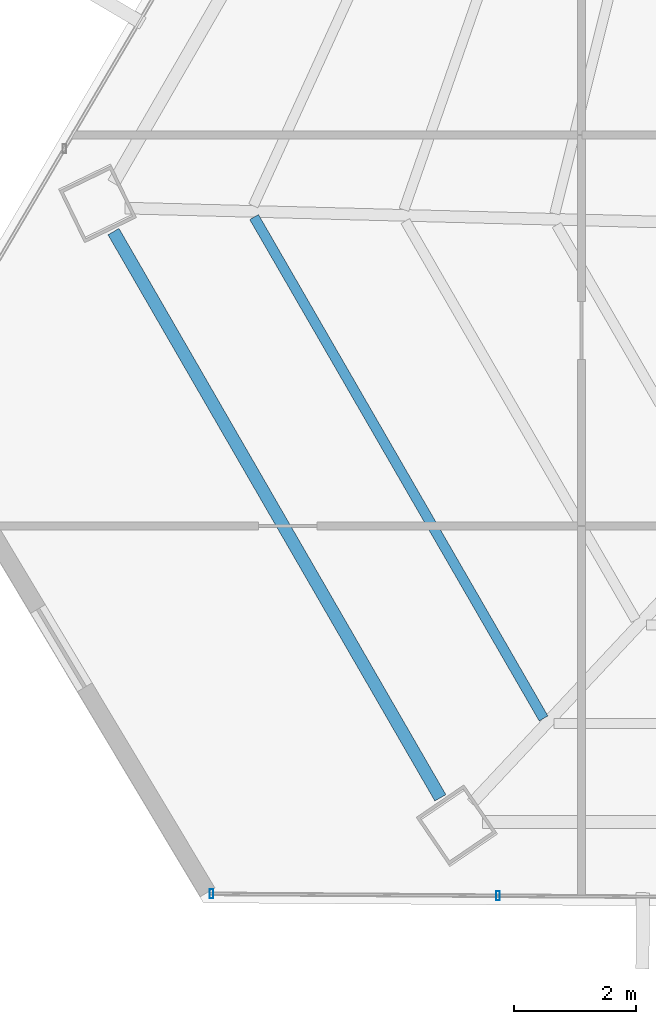
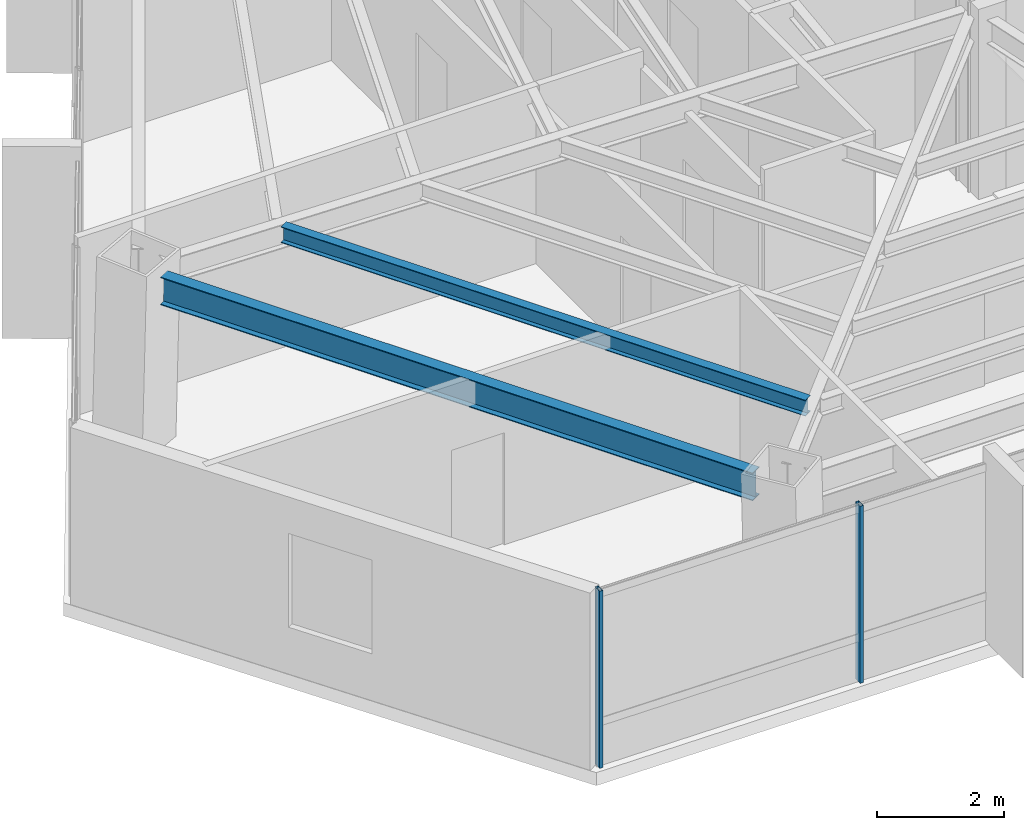
# One storey, part 2 of 41: 2 beams, 2 members, 1 element without a shape of its own.
"""IFC4 building model written with IfcOpenShell, lengths in metres."""

from ifc_helpers import new_model, si_unit, direction, frame, origin, origin_2d, place, context, subcontext, project, spatial, hollow_rectangle, i_section, extrude, source, transform, mapped, material, material_profile, profile_set, type_object, type_shapes, element, aggregate, save


model = new_model("IFC4")

# Units and contexts
model_context = context("Model", 3, precision=1e-05, world=origin(), true_north=direction((0.0, 1.0)))
body_context = subcontext(model_context, "Body", "Model", "MODEL_VIEW")
ifc_project = project(units=[si_unit("LENGTHUNIT", "METRE"), si_unit("AREAUNIT", "SQUARE_METRE"), si_unit("VOLUMEUNIT", "CUBIC_METRE"), si_unit("PLANEANGLEUNIT", "RADIAN"), si_unit("MASSUNIT", "GRAM", prefix="KILO")], contexts=[model_context])

# Site, building, storey
site_placement = place(None, origin())
site = spatial("IfcSite", under=ifc_project, at=site_placement, CompositionType="ELEMENT")
building_placement = place(site_placement, origin())
building = spatial("IfcBuilding", under=site, at=building_placement, Name="Caelisora Broadcast Tower", CompositionType="ELEMENT")
storey_placement = place(building_placement, frame((0.0, 0.0, 169.449951171875)))
storey = spatial("IfcBuildingStorey", under=building, at=storey_placement, Name="L44", CompositionType="ELEMENT", Elevation=169.449951171875)

# Beams
ifc_material_1 = material(Name="Steel Grade 350 (AS/NZS 3679.1)", Category="steel")
ifc_material_profile_1 = material_profile(ifc_material_1, i_section(OverallWidth=0.208984375, OverallDepth=0.532958984375, WebThickness=0.01025390625, FlangeThickness=0.015625, at=origin_2d()), Name="Steel Grade 350 (AS/NZS 3679.1)")
ifc_profile_set_1 = profile_set([ifc_material_profile_1], Name="Steel Grade 350 (AS/NZS 3679.1)")
beam_type_1 = type_object("IfcBeamType", Name="PG05", PredefinedType="BEAM", material=ifc_profile_set_1)
shared_shape_1 = source(origin(), body_context, "Body", "SweptSolid", [
    extrude(i_section(OverallWidth=0.208984375, OverallDepth=0.532958984375, WebThickness=0.01025390625, FlangeThickness=0.015625, at=origin_2d()), origin(), (0.0, 0.0, 1.0), 10.751708984375),
])
type_shapes(beam_type_1, [shared_shape_1])
beam_1_placement = place(storey_placement, frame((15.80224609375, 17.3916015625, 3.133544921875), z_axis=(0.499990430293, -0.866030928787, 0.0), x_axis=(0.866030928787, 0.499990430293, 0.0)))
element("IfcBeam", 1, at=beam_1_placement, inside=storey, type_object=beam_type_1, Name="L44 beam PG05", PredefinedType="BEAM", context=body_context, shape_type="MappedRepresentation", body=[
    mapped(shared_shape_1, transform((0.0, 0.0, 0.0), scale=1.0)),
])
ifc_material_profile_2 = material_profile(ifc_material_1, i_section(OverallWidth=0.166015625, OverallDepth=0.30712890625, WebThickness=0.006591796875, FlangeThickness=0.01171875, at=origin_2d()), Name="Steel Grade 350 (AS/NZS 3679.1)")
ifc_profile_set_2 = profile_set([ifc_material_profile_2], Name="Steel Grade 350 (AS/NZS 3679.1)")
beam_type_2 = type_object("IfcBeamType", Name="SB03", PredefinedType="JOIST", material=ifc_profile_set_2)
shared_shape_2 = source(origin(), body_context, "Body", "SweptSolid", [
    extrude(i_section(OverallWidth=0.166015625, OverallDepth=0.30712890625, WebThickness=0.006591796875, FlangeThickness=0.01171875, at=origin_2d()), origin(), (0.0, 0.0, 1.0), 9.5205078125),
])
type_shapes(beam_type_2, [shared_shape_2])
beam_2_placement = place(storey_placement, frame((18.11474609375, 17.630615234375, 3.246337890625), z_axis=(0.499994743909, -0.866028438368, 0.0), x_axis=(0.866028438368, 0.499994743909, 0.0)))
element("IfcBeam", 2, at=beam_2_placement, inside=storey, type_object=beam_type_2, Name="L44 beam SB03", PredefinedType="JOIST", context=body_context, shape_type="MappedRepresentation", body=[
    mapped(shared_shape_2, transform((0.0, 0.0, 0.0), scale=1.0)),
])

# Curtain wall, members
ifc_material_2 = material(Name="Unitised Aluminium and Low-E Glass Curtain Wall", Category="glass")
curtain_wall_type = type_object("IfcCurtainWallType", Name="CW-Z3", PredefinedType="NOTDEFINED", material=ifc_material_2)
curtain_wall_placement = place(storey_placement, origin())
curtain_wall = element("IfcCurtainWall", 3, at=curtain_wall_placement, inside=storey, type_object=curtain_wall_type, Name="L44 curtain wall CW-Z3", PredefinedType="NOTDEFINED")
ifc_material_3 = material(Name="Aluminium 6063-T6 Anodised Terracotta Bronze", Category="aluminium")
ifc_material_profile_3 = material_profile(ifc_material_3, hollow_rectangle(XDim=0.06005859375, YDim=0.14990234375, WallThickness=0.00341796875, at=origin_2d()), Name="Aluminium 6063-T6 Anodised Terracotta Bronze")
ifc_profile_set_3 = profile_set([ifc_material_profile_3], Name="Aluminium 6063-T6 Anodised Terracotta Bronze")
member_type = type_object("IfcMemberType", Name="CWM-03", PredefinedType="MULLION", material=ifc_profile_set_3)
shared_shape_3 = source(origin(), body_context, "Body", "SweptSolid", [
    extrude(hollow_rectangle(XDim=0.06005859375, YDim=0.14990234375, WallThickness=0.00341796875, at=origin_2d()), origin(), (0.0, 0.0, 1.0), 3.400146484375),
])
type_shapes(member_type, [shared_shape_3])
member_1_placement = place(storey_placement, frame((22.1259765625, 6.4697265625, 0.0), z_axis=(0.0, 0.0, 1.0), x_axis=(1.0, 0.0, 0.0)))
member_1 = element("IfcMember", 4, at=member_1_placement, type_object=member_type, Name="L44-CW-B07 mullion #2", PredefinedType="MULLION", context=body_context, shape_type="MappedRepresentation", body=[
    mapped(shared_shape_3, transform((0.0, 0.0, 0.0), scale=1.0)),
])
member_2_placement = place(storey_placement, frame((17.4150390625, 6.500732421875, 0.0), z_axis=(0.0, 0.0, 1.0), x_axis=(1.0, 0.0, 0.0)))
member_2 = element("IfcMember", 5, at=member_2_placement, type_object=member_type, Name="L44-CW-B07 mullion #3", PredefinedType="MULLION", context=body_context, shape_type="MappedRepresentation", body=[
    mapped(shared_shape_3, transform((0.0, 0.0, 0.0), scale=1.0)),
])
aggregate(curtain_wall, [member_1, member_2])

save(model, "model.ifc")
